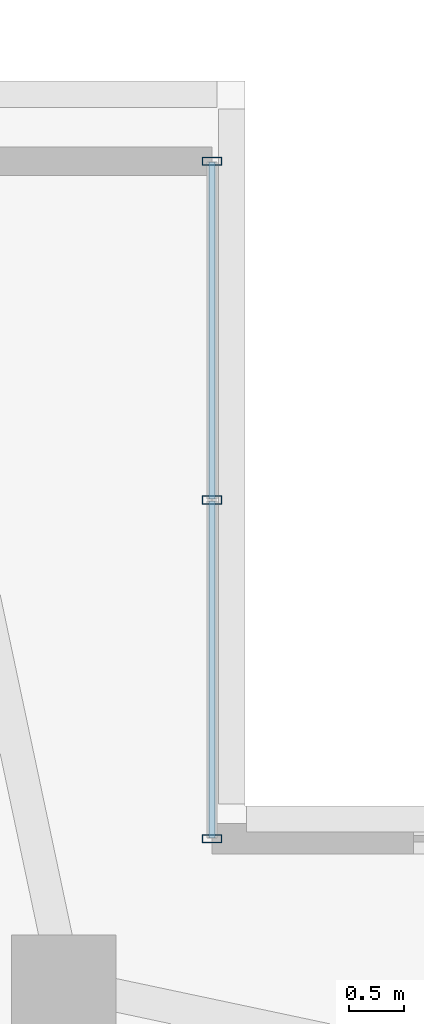
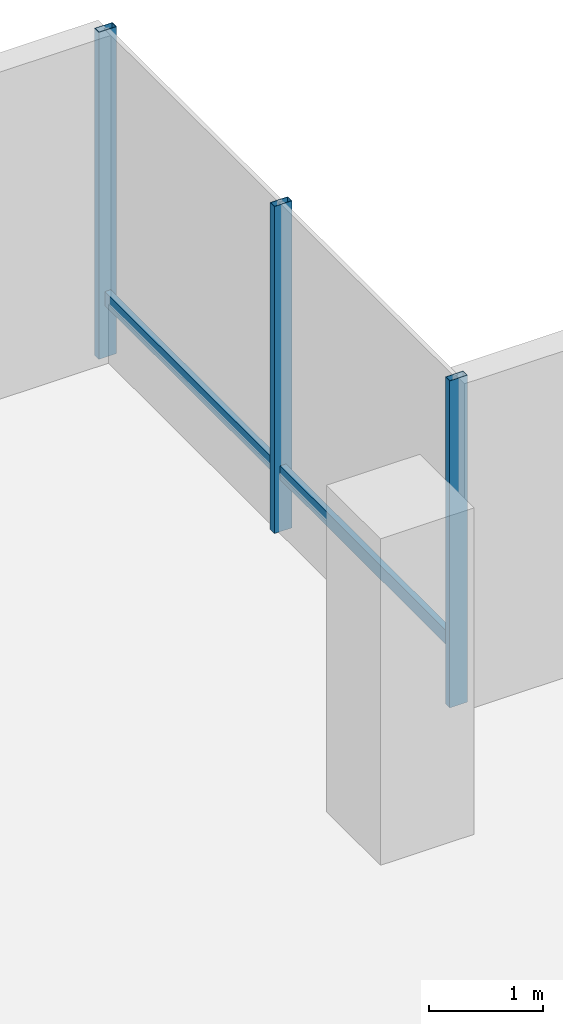
# One storey, part 19 of 26: 5 members, 1 element without a shape of its own.
"""IFC4 building model written with IfcOpenShell, lengths in metres."""

from ifc_helpers import new_model, si_unit, direction, frame, origin, origin_2d, place, context, subcontext, project, spatial, hollow_rectangle, extrude, material, layer, layer_set, material_profile, profile_set, type_object, element, aggregate, save


model = new_model("IFC4")

# Units and contexts
model_context = context("Model", 3, precision=1e-05, world=origin(), true_north=direction((0.0, 1.0)))
body_context = subcontext(model_context, "Body", "Model", "MODEL_VIEW")
ifc_project = project(units=[si_unit("LENGTHUNIT", "METRE"), si_unit("AREAUNIT", "SQUARE_METRE"), si_unit("VOLUMEUNIT", "CUBIC_METRE"), si_unit("PLANEANGLEUNIT", "RADIAN"), si_unit("MASSUNIT", "GRAM", prefix="KILO")], contexts=[model_context])

# Site, building, storey
site_placement = place(None, origin())
site = spatial("IfcSite", under=ifc_project, at=site_placement, CompositionType="ELEMENT")
building_placement = place(site_placement, origin())
building = spatial("IfcBuilding", under=site, at=building_placement, Name="Belovzor Exchange Tower", CompositionType="ELEMENT")
storey_placement = place(building_placement, frame((0.0, 0.0, 295.5)))
storey = spatial("IfcBuildingStorey", under=building, at=storey_placement, Name="L73", CompositionType="ELEMENT", Elevation=295.5)

# Curtain wall, members
ifc_material_1 = material(Name="Anodised Aluminium Framing", Category="aluminium")
ifc_layer = layer(ifc_material_1, 0.195068359375)
ifc_layer_set = layer_set([ifc_layer], Name="Anodised Aluminium Framing")
curtain_wall_type = type_object("IfcCurtainWallType", Name="Notched Re-Entrant Corner Unitised Curtain Wall", PredefinedType="NOTDEFINED", material=ifc_layer_set)
curtain_wall_placement = place(storey_placement, origin())
curtain_wall = element("IfcCurtainWall", 1, at=curtain_wall_placement, inside=storey, type_object=curtain_wall_type, Name="CW5 Notched Re-Entrant Corner Unitised Curtain Wall L73", PredefinedType="NOTDEFINED")
ifc_material_2 = material(Name="Steel S355", Category="steel")
ifc_material_profile_1 = material_profile(ifc_material_2, hollow_rectangle(XDim=0.074951171875, YDim=0.179931640625, WallThickness=0.0048828125, at=origin_2d()))
ifc_profile_set_1 = profile_set([ifc_material_profile_1], Name="Steel S355")
member_type_1 = type_object("IfcMemberType", Name="Thermally Broken Curtain Wall Mullion 180x75", PredefinedType="MULLION", material=ifc_profile_set_1)
member_1_placement = place(storey_placement, frame((45.300048828125, 51.469970703125, 0.0), z_axis=(0.0, 0.0, 1.0), x_axis=(0.0, -1.0, 0.0)))
member_1 = element("IfcMember", 2, at=member_1_placement, type_object=member_type_1, Name="CW-M180 Curtain Wall Mullion 1", PredefinedType="MULLION", context=body_context, shape_type="SweptSolid", body=[
    extrude(hollow_rectangle(XDim=0.074951171875, YDim=0.179931640625, WallThickness=0.0048828125, at=origin_2d()), origin(), (0.0, 0.0, 1.0), 3.510009765625),
])
member_2_placement = place(storey_placement, frame((45.300048828125, 48.385009765625, 0.0), z_axis=(0.0, 0.0, 1.0), x_axis=(0.0, -1.0, 0.0)))
member_2 = element("IfcMember", 3, at=member_2_placement, type_object=member_type_1, Name="CW-M180 Curtain Wall Mullion 2", PredefinedType="MULLION", context=body_context, shape_type="SweptSolid", body=[
    extrude(hollow_rectangle(XDim=0.074951171875, YDim=0.179931640625, WallThickness=0.0048828125, at=origin_2d()), origin(), (0.0, 0.0, 1.0), 3.510009765625),
])
member_3_placement = place(storey_placement, frame((45.300048828125, 45.300048828125, 0.0), z_axis=(0.0, 0.0, 1.0), x_axis=(0.0, -1.0, 0.0)))
member_3 = element("IfcMember", 4, at=member_3_placement, type_object=member_type_1, Name="CW-M180 Curtain Wall Mullion 3", PredefinedType="MULLION", context=body_context, shape_type="SweptSolid", body=[
    extrude(hollow_rectangle(XDim=0.074951171875, YDim=0.179931640625, WallThickness=0.0048828125, at=origin_2d()), origin(), (0.0, 0.0, 1.0), 3.510009765625),
])
ifc_material_3 = material(Name="Steel S355", Category="steel")
ifc_material_profile_2 = material_profile(ifc_material_3, hollow_rectangle(XDim=0.06005859375, YDim=0.14990234375, WallThickness=0.00390625, at=origin_2d()))
ifc_profile_set_2 = profile_set([ifc_material_profile_2], Name="Steel S355")
member_type_2 = type_object("IfcMemberType", Name="Thermally Broken Curtain Wall Transom 150x60", PredefinedType="USERDEFINED", material=ifc_profile_set_2)
member_4_placement = place(storey_placement, frame((45.300048828125, 51.4619140625, 0.632080078125), z_axis=(0.0, -1.0, 0.0), x_axis=(1.0, 0.0, 0.0)))
member_4 = element("IfcMember", 5, at=member_4_placement, type_object=member_type_2, Name="CW-T150 Curtain Wall Transom 1", ObjectType="TRANSOM", PredefinedType="USERDEFINED", context=body_context, shape_type="SweptSolid", body=[
    extrude(hollow_rectangle(XDim=0.06005859375, YDim=0.14990234375, WallThickness=0.00390625, at=origin_2d()), origin(), (0.0, 0.0, 1.0), 3.06884765625),
])
member_5_placement = place(storey_placement, frame((45.300048828125, 48.376953125, 0.632080078125), z_axis=(0.0, -1.0, 0.0), x_axis=(1.0, 0.0, 0.0)))
member_5 = element("IfcMember", 6, at=member_5_placement, type_object=member_type_2, Name="CW-T150 Curtain Wall Transom 2", ObjectType="TRANSOM", PredefinedType="USERDEFINED", context=body_context, shape_type="SweptSolid", body=[
    extrude(hollow_rectangle(XDim=0.06005859375, YDim=0.14990234375, WallThickness=0.00390625, at=origin_2d()), origin(), (0.0, 0.0, 1.0), 3.06884765625),
])
aggregate(curtain_wall, [member_1, member_2, member_3, member_4, member_5])

save(model, "model.ifc")
